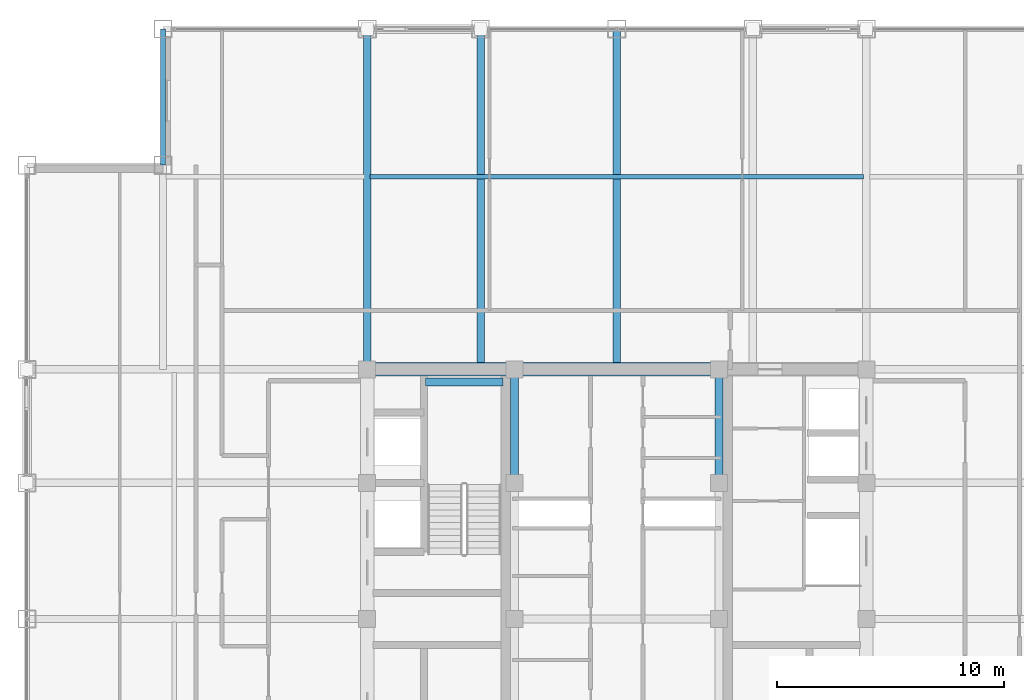
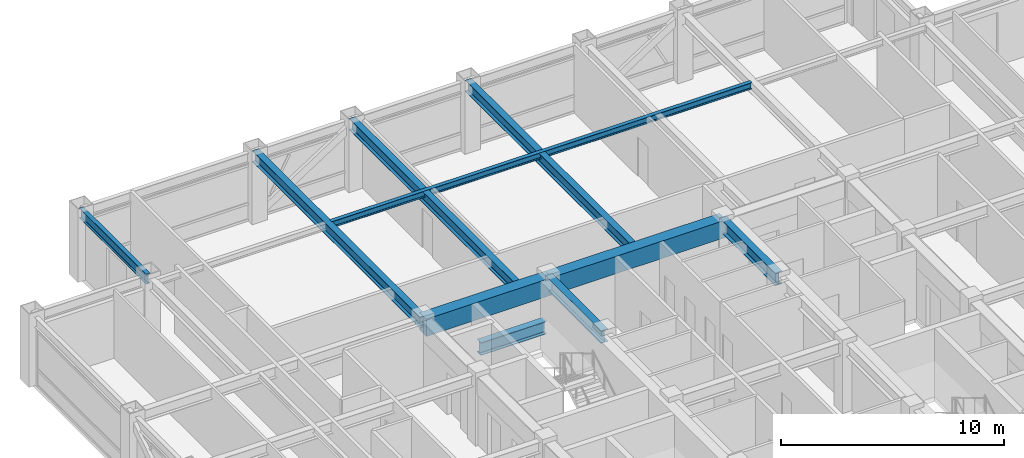
# One storey, part 15 of 28: 10 beams.
"""IFC4 building model written with IfcOpenShell, lengths in metres."""

from ifc_helpers import new_model, si_unit, direction, frame, origin, origin_2d, place, context, subcontext, project, spatial, rectangle, i_section, extrude, source, transform, mapped, material, material_profile, profile_set, type_object, element, save


model = new_model("IFC4")

# Units and contexts
model_context = context("Model", 3, precision=1e-05, world=origin(), true_north=direction((0.0, 1.0)))
body_context = subcontext(model_context, "Body", "Model", "MODEL_VIEW")
ifc_project = project(units=[si_unit("LENGTHUNIT", "METRE"), si_unit("AREAUNIT", "SQUARE_METRE"), si_unit("VOLUMEUNIT", "CUBIC_METRE"), si_unit("PLANEANGLEUNIT", "RADIAN"), si_unit("MASSUNIT", "GRAM", prefix="KILO")], contexts=[model_context])

# Site, building, storey
site_placement = place(None, origin())
site = spatial("IfcSite", under=ifc_project, at=site_placement, CompositionType="ELEMENT")
building_placement = place(site_placement, origin())
building = spatial("IfcBuilding", under=site, at=building_placement, Name="Khorayat Bourse Tower", CompositionType="ELEMENT")
storey_placement = place(building_placement, frame((0.0, 0.0, 334.300048828125)))
storey = spatial("IfcBuildingStorey", under=building, at=storey_placement, Name="L79", CompositionType="ELEMENT", Elevation=334.300048828125)

# Beams
ifc_material_1 = material(Name="Steel ASTM A992 Grade 50", Category="steel")
ifc_material_profile_1 = material_profile(ifc_material_1, i_section(OverallWidth=0.35498046875, OverallDepth=0.695068359375, WebThickness=0.015380859375, FlangeThickness=0.02490234375, FilletRadius=0.01806640625, at=origin_2d()), Name="W690X217")
ifc_profile_set_1 = profile_set([ifc_material_profile_1], Name="Steel ASTM A992 Grade 50")
beam_type_1 = type_object("IfcBeamType", Name="BM-GIRD-690", PredefinedType="BEAM", material=ifc_profile_set_1)
shared_shape_1 = source(origin(), body_context, "Body", "SweptSolid", [
    extrude(i_section(OverallWidth=0.35498046875, OverallDepth=0.695068359375, WebThickness=0.015380859375, FlangeThickness=0.02490234375, FilletRadius=0.01806640625, at=origin_2d()), origin(), (0.0, 0.0, 1.0), 5.0),
])
for number, where, z_axis, x_axis, name in (
    (1, (-4.5, 6.0, 3.392333984375), (0.0, 1.0, 0.0), (-1.0, 0.0, 0.0), "L79 BM-GIRD-690 BM-L79-CRX-08"),
    (2, (4.5, 6.0, 3.392333984375), (0.0, 1.0, 0.0), (-1.0, 0.0, 0.0), "L79 BM-GIRD-690 BM-L79-CRX-12"),
):
    element("IfcBeam", number, at=place(storey_placement, frame(where, z_axis=z_axis, x_axis=x_axis)), inside=storey, type_object=beam_type_1, Name=name, PredefinedType="BEAM", context=body_context, shape_type="MappedRepresentation", body=[
        mapped(shared_shape_1, transform((0.0, 0.0, 0.0), scale=1.0)),
    ])
shared_shape_2 = source(origin(), body_context, "Body", "SweptSolid", [
    extrude(i_section(OverallWidth=0.35498046875, OverallDepth=0.695068359375, WebThickness=0.015380859375, FlangeThickness=0.02490234375, FilletRadius=0.01806640625, at=origin_2d()), origin(), (0.0, 0.0, 1.0), 3.39990234375),
])
beam_1_placement = place(storey_placement, frame((-8.419921875, 10.449951171875, 1.452392578125), z_axis=(1.0, 0.0, 0.0), x_axis=(0.0, 1.0, 0.0)))
element("IfcBeam", 3, at=beam_1_placement, inside=storey, type_object=beam_type_1, Name="L79 BM-GIRD-690 BM-L79-ST2L", PredefinedType="BEAM", context=body_context, shape_type="MappedRepresentation", body=[
    mapped(shared_shape_2, transform((0.0, 0.0, 0.0), scale=1.0)),
])
ifc_material_2 = material(Name="Concrete C60/75", Category="concrete")
ifc_material_profile_2 = material_profile(ifc_material_2, rectangle(XDim=0.60009765625, YDim=0.949951171875, at=origin_2d()), Name="RC 600x950")
ifc_profile_set_2 = profile_set([ifc_material_profile_2], Name="Concrete C60/75")
beam_type_2 = type_object("IfcBeamType", Name="BM-COUP-950", PredefinedType="BEAM", material=ifc_profile_set_2)
shared_shape_3 = source(origin(), body_context, "Body", "SweptSolid", [
    extrude(rectangle(XDim=0.60009765625, YDim=0.949951171875, at=origin_2d()), origin(), (0.0, 0.0, 1.0), 6.5),
])
beam_2_placement = place(storey_placement, frame((-11.0, 11.0, 3.264892578125), z_axis=(1.0, 0.0, 0.0), x_axis=(0.0, 1.0, 0.0)))
element("IfcBeam", 4, at=beam_2_placement, inside=storey, type_object=beam_type_2, Name="L79 BM-COUP-950 BM-L79-CRY-20", PredefinedType="BEAM", context=body_context, shape_type="MappedRepresentation", body=[
    mapped(shared_shape_3, transform((0.0, 0.0, 0.0), scale=1.0)),
])
shared_shape_4 = source(origin(), body_context, "Body", "SweptSolid", [
    extrude(rectangle(XDim=0.60009765625, YDim=0.949951171875, at=origin_2d()), origin(), (0.0, 0.0, 1.0), 9.0),
])
beam_3_placement = place(storey_placement, frame((-4.5, 11.0, 3.264892578125), z_axis=(1.0, 0.0, 0.0), x_axis=(0.0, 1.0, 0.0)))
element("IfcBeam", 5, at=beam_3_placement, inside=storey, type_object=beam_type_2, Name="L79 BM-COUP-950 BM-L79-CRY-21", PredefinedType="BEAM", context=body_context, shape_type="MappedRepresentation", body=[
    mapped(shared_shape_4, transform((0.0, 0.0, 0.0), scale=1.0)),
])
ifc_material_profile_3 = material_profile(ifc_material_1, i_section(OverallWidth=0.202880859375, OverallDepth=0.346923828125, WebThickness=0.0078125, FlangeThickness=0.013427734375, FilletRadius=0.010009765625, at=origin_2d()), Name="W360X64")
ifc_profile_set_3 = profile_set([ifc_material_profile_3], Name="Steel ASTM A992 Grade 50")
beam_type_3 = type_object("IfcBeamType", Name="BM-JOIST-360", PredefinedType="JOIST", material=ifc_profile_set_3)
shared_shape_5 = source(origin(), body_context, "Body", "SweptSolid", [
    extrude(i_section(OverallWidth=0.202880859375, OverallDepth=0.346923828125, WebThickness=0.0078125, FlangeThickness=0.013427734375, FilletRadius=0.010009765625, at=origin_2d()), origin(), (0.0, 0.0, 1.0), 21.740234375),
])
beam_4_placement = place(storey_placement, frame((-10.8701171875, 19.5, 3.56640625), z_axis=(1.0, 0.0, 0.0), x_axis=(0.0, 1.0, 0.0)))
element("IfcBeam", 6, at=beam_4_placement, inside=storey, type_object=beam_type_3, Name="L79 BM-JOIST-360 BM-L79-JSTX-084", PredefinedType="JOIST", context=body_context, shape_type="MappedRepresentation", body=[
    mapped(shared_shape_5, transform((0.0, 0.0, 0.0), scale=1.0)),
])
ifc_material_profile_4 = material_profile(ifc_material_1, i_section(OverallWidth=0.214111328125, OverallDepth=0.549072265625, WebThickness=0.0146484375, FlangeThickness=0.023681640625, FilletRadius=0.013916015625, at=origin_2d()), Name="W530X138")
ifc_profile_set_4 = profile_set([ifc_material_profile_4], Name="Steel ASTM A992 Grade 50")
beam_type_4 = type_object("IfcBeamType", Name="BM-SPAN-530", PredefinedType="SPANDREL", material=ifc_profile_set_4)
shared_shape_6 = source(origin(), body_context, "Body", "SweptSolid", [
    extrude(i_section(OverallWidth=0.214111328125, OverallDepth=0.549072265625, WebThickness=0.0146484375, FlangeThickness=0.023681640625, FilletRadius=0.013916015625, at=origin_2d()), origin(), (0.0, 0.0, 1.0), 6.0),
])
beam_5_placement = place(storey_placement, frame((-20.0, 20.0, 3.46533203125), z_axis=(0.0, 1.0, 0.0), x_axis=(-1.0, 0.0, 0.0)))
element("IfcBeam", 7, at=beam_5_placement, inside=storey, type_object=beam_type_4, Name="L79 BM-SPAN-530 BM-L79-SPN-046", PredefinedType="SPANDREL", context=body_context, shape_type="MappedRepresentation", body=[
    mapped(shared_shape_6, transform((0.0, 0.0, 0.0), scale=1.0)),
])
ifc_material_profile_5 = material_profile(ifc_material_1, i_section(OverallWidth=0.324951171875, OverallDepth=0.615966796875, WebThickness=0.013916015625, FlangeThickness=0.021484375, FilletRadius=0.01611328125, at=origin_2d()), Name="W610X174")
ifc_profile_set_5 = profile_set([ifc_material_profile_5], Name="Steel ASTM A992 Grade 50")
beam_type_5 = type_object("IfcBeamType", Name="BM-GIRD-610", PredefinedType="BEAM", material=ifc_profile_set_5)
shared_shape_7 = source(origin(), body_context, "Body", "SweptSolid", [
    extrude(i_section(OverallWidth=0.324951171875, OverallDepth=0.615966796875, WebThickness=0.013916015625, FlangeThickness=0.021484375, FilletRadius=0.01611328125, at=origin_2d()), origin(), (0.0, 0.0, 1.0), 15.0),
])
for number, where, z_axis, x_axis, name in (
    (8, (-11.0, 11.0, 3.431884765625), (0.0, 1.0, 0.0), (-1.0, 0.0, 0.0), "L79 BM-GIRD-610 BM-L79-RADY-056"),
    (9, (-6.0, 11.0, 3.431884765625), (0.0, 1.0, 0.0), (-1.0, 0.0, 0.0), "L79 BM-GIRD-610 BM-L79-RADY-058"),
    (10, (0.0, 11.0, 3.431884765625), (0.0, 1.0, 0.0), (-1.0, 0.0, 0.0), "L79 BM-GIRD-610 BM-L79-RADY-060"),
):
    element("IfcBeam", number, at=place(storey_placement, frame(where, z_axis=z_axis, x_axis=x_axis)), inside=storey, type_object=beam_type_5, Name=name, PredefinedType="BEAM", context=body_context, shape_type="MappedRepresentation", body=[
        mapped(shared_shape_7, transform((0.0, 0.0, 0.0), scale=1.0)),
    ])

save(model, "model.ifc")
